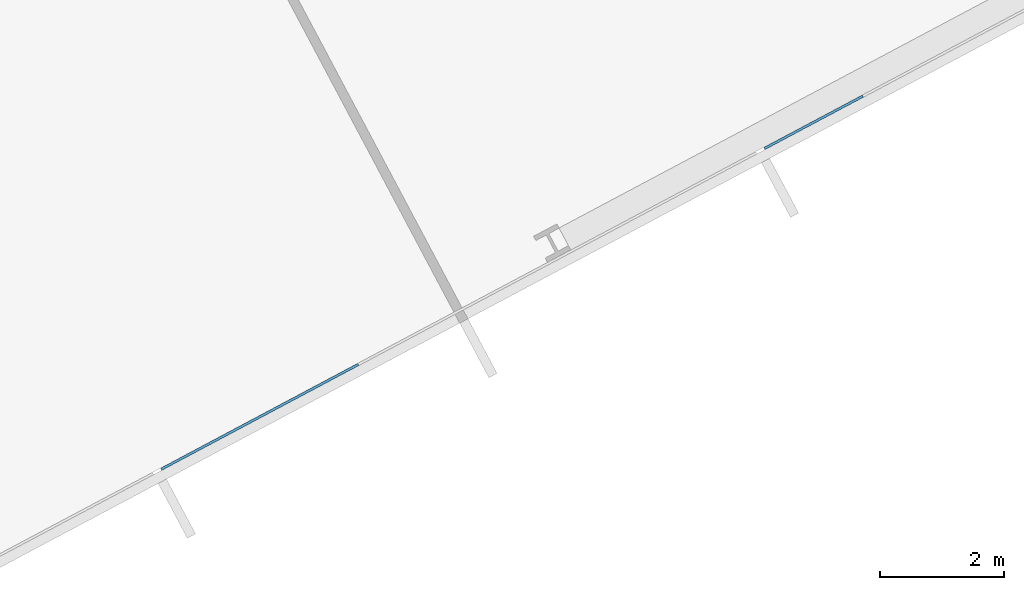
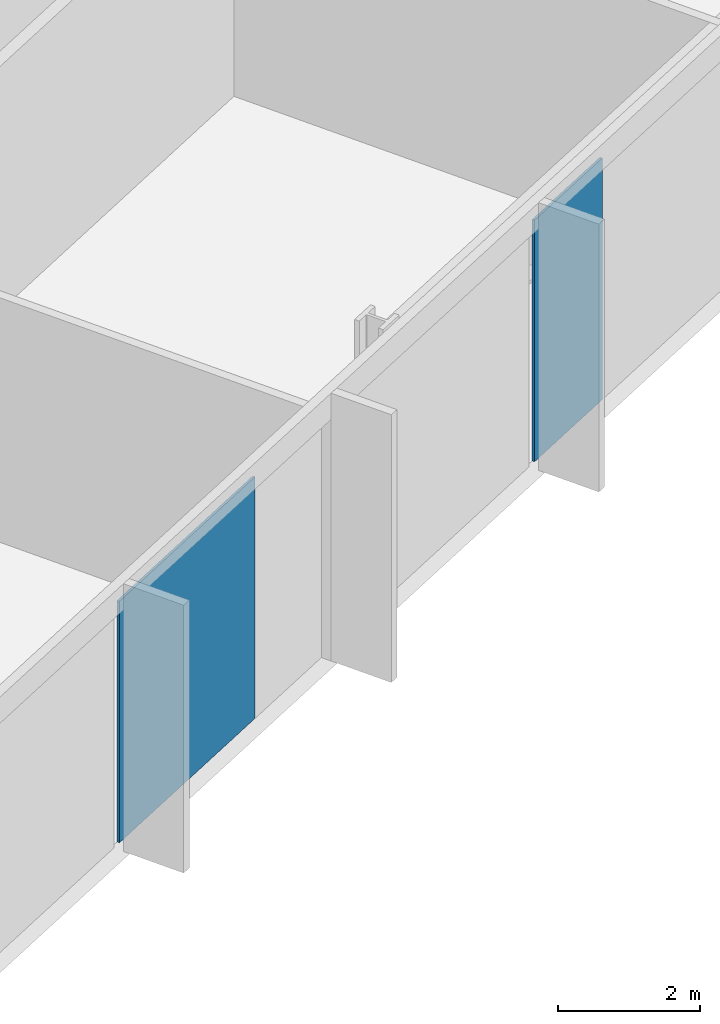
# One storey, part 11 of 31: 2 plates, 1 element without a shape of its own.
"""IFC4 building model written with IfcOpenShell, lengths in metres."""

from ifc_helpers import new_model, si_unit, direction, frame, origin, origin_2d, place, context, subcontext, project, spatial, rectangle, extrude, material, layer, layer_set, type_object, element, aggregate, save


model = new_model("IFC4")

# Units and contexts
model_context = context("Model", 3, precision=1e-05, world=origin(), true_north=direction((0.0, 1.0)))
body_context = subcontext(model_context, "Body", "Model", "MODEL_VIEW")
ifc_project = project(units=[si_unit("LENGTHUNIT", "METRE"), si_unit("AREAUNIT", "SQUARE_METRE"), si_unit("VOLUMEUNIT", "CUBIC_METRE"), si_unit("PLANEANGLEUNIT", "RADIAN"), si_unit("MASSUNIT", "GRAM", prefix="KILO")], contexts=[model_context])

# Site, building, storey
site_placement = place(None, origin())
site = spatial("IfcSite", under=ifc_project, at=site_placement, CompositionType="ELEMENT")
building_placement = place(site_placement, origin())
building = spatial("IfcBuilding", under=site, at=building_placement, Name="Cormorant Relay Tower", CompositionType="ELEMENT")
storey_placement = place(building_placement, frame((0.0, 0.0, 93.800048828125)))
storey = spatial("IfcBuildingStorey", under=building, at=storey_placement, Name="L18", CompositionType="ELEMENT", Elevation=93.800048828125)

# Curtain wall, plates
ifc_material_1 = material(Name="Aluminium 6063-T6 anodised bronze", Category="aluminium")
ifc_layer_1 = layer(ifc_material_1, 0.199951171875)
ifc_layer_set_1 = layer_set([ifc_layer_1], Name="CW1 unitised bronze curtain wall with vertical fins")
curtain_wall_type = type_object("IfcCurtainWallType", Name="CW1 unitised bronze curtain wall with vertical fins", PredefinedType="NOTDEFINED", material=ifc_layer_set_1)
curtain_wall_placement = place(storey_placement, origin())
curtain_wall = element("IfcCurtainWall", 1, at=curtain_wall_placement, inside=storey, type_object=curtain_wall_type, Name="CW1 curtain wall 2", PredefinedType="NOTDEFINED")
ifc_material_2 = material(Name="Tinted laminated glass", Category="glass")
ifc_layer_2 = layer(ifc_material_2, 0.0400390625)
ifc_layer_set_2 = layer_set([ifc_layer_2], Name="CW1 tinted vision panel 1800 module")
plate_type_1 = type_object("IfcPlateType", Name="CW1 tinted vision panel 1800 module", PredefinedType="CURTAIN_PANEL", material=ifc_layer_set_2)
plate_1_placement = place(storey_placement, frame((57.052490234375, 6.52880859375, 0.0), z_axis=(0.0, 0.0, 1.0), x_axis=(0.882947592859, 0.469471562786, 0.0)))
plate_1 = element("IfcPlate", 2, at=plate_1_placement, type_object=plate_type_1, Name="CW1 panel V12", PredefinedType="CURTAIN_PANEL", context=body_context, shape_type="SweptSolid", body=[
    extrude(rectangle(XDim=1.800048828125, YDim=0.0400390625, at=origin_2d()), origin(), (0.0, 0.0, 1.0), 4.14990234375),
])
ifc_material_3 = material(Name="Tinted laminated glass", Category="glass")
ifc_layer_3 = layer(ifc_material_3, 0.0400390625)
ifc_layer_set_3 = layer_set([ifc_layer_3], Name="CW1 tinted vision panel 3600 module")
plate_type_2 = type_object("IfcPlateType", Name="CW1 tinted vision panel 3600 module", PredefinedType="CURTAIN_PANEL", material=ifc_layer_set_3)
plate_2_placement = place(storey_placement, frame((48.11376953125, 1.77587890625, 0.0), z_axis=(0.0, 0.0, 1.0), x_axis=(0.882947592859, 0.469471562786, 0.0)))
plate_2 = element("IfcPlate", 3, at=plate_2_placement, type_object=plate_type_2, Name="CW1 panel V10", PredefinedType="CURTAIN_PANEL", context=body_context, shape_type="SweptSolid", body=[
    extrude(rectangle(XDim=3.60009765625, YDim=0.0400390625, at=origin_2d()), origin(), (0.0, 0.0, 1.0), 4.14990234375),
])
aggregate(curtain_wall, [plate_2, plate_1])

save(model, "model.ifc")
